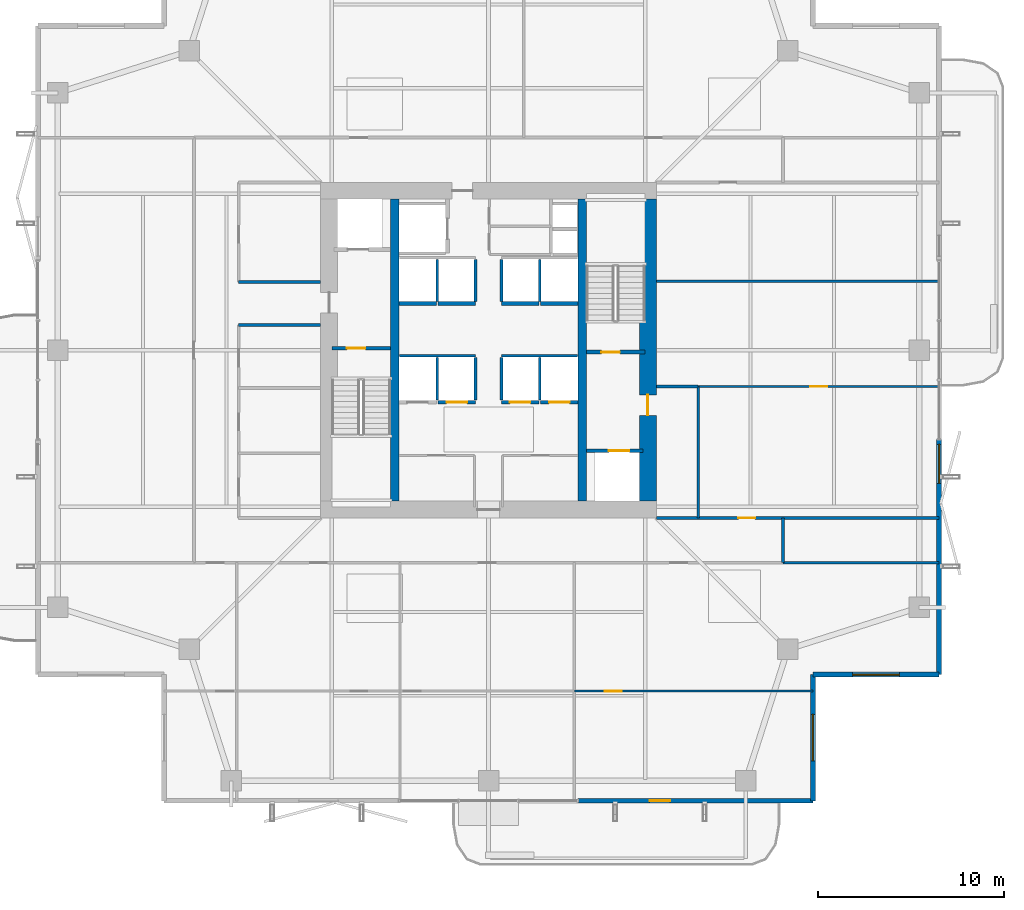
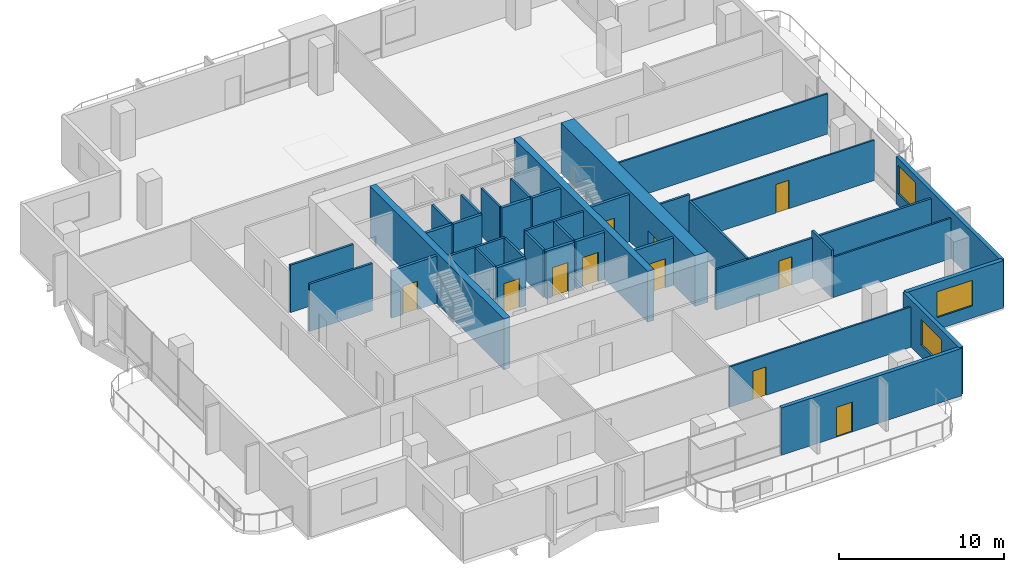
# One storey, part 19 of 25: 37 walls, 11 doors, 3 windows, 14 openings.
"""IFC4 building model written with IfcOpenShell, lengths in metres."""

from ifc_helpers import new_model, si_unit, direction, frame, frame_2d, origin, place, context, subcontext, project, spatial, rectangle, extrude, material, layer, layer_set, type_object, element, fill, save


model = new_model("IFC4")

# Units and contexts
model_context = context("Model", 3, precision=1e-05, world=origin(), true_north=direction((0.0, 1.0)))
body_context = subcontext(model_context, "Body", "Model", "MODEL_VIEW")
ifc_project = project(units=[si_unit("LENGTHUNIT", "METRE"), si_unit("AREAUNIT", "SQUARE_METRE"), si_unit("VOLUMEUNIT", "CUBIC_METRE"), si_unit("PLANEANGLEUNIT", "RADIAN"), si_unit("MASSUNIT", "GRAM", prefix="KILO")], contexts=[model_context])

# Site, building, storey
site_placement = place(None, origin())
site = spatial("IfcSite", under=ifc_project, at=site_placement, CompositionType="ELEMENT")
building_placement = place(site_placement, origin())
building = spatial("IfcBuilding", under=site, at=building_placement, Name="Belovzor Exchange Tower", CompositionType="ELEMENT")
storey_placement = place(building_placement, frame((0.0, 0.0, 187.050048828125)))
storey = spatial("IfcBuildingStorey", under=building, at=storey_placement, Name="L46", CompositionType="ELEMENT", Elevation=187.050048828125)

# Wall, opening, door
ifc_material_1 = material(Name="Acoustic Plasterboard on Galvanised Studs", Category="gypsum")
ifc_layer_1 = layer(ifc_material_1, 0.1201171875)
ifc_layer_set_1 = layer_set([ifc_layer_1], Name="Acoustic Plasterboard on Galvanised Studs")
wall_type_1 = type_object("IfcWallType", Name="Acoustic Double-Stud Partition Wall 120", PredefinedType="PARTITIONING", material=ifc_layer_set_1)
wall_1_placement = place(storey_placement, frame((33.404052734375, 10.51708984375, 0.0), z_axis=(0.0, 0.0, 1.0), x_axis=(1.0, 0.0, 0.0)))
wall_1 = element("IfcWall", 1, at=wall_1_placement, inside=storey, type_object=wall_type_1, Name="W-P120 Partition Wall W-L46-SHDIV-3", PredefinedType="PARTITIONING", context=body_context, shape_type="SweptSolid", body=[
    extrude(rectangle(XDim=12.7958984375, YDim=0.1201171875, at=frame_2d((6.39794921875, 0.0))), origin(), (0.0, 0.0, 1.0), 2.97998046875),
])
opening_1_placement = place(wall_1_placement, frame((1.636962890625, 0.0, 0.0)))
opening_1 = element("IfcOpeningElement", 2, at=opening_1_placement, cuts=wall_1, Name="Opening D-INT-090", PredefinedType="OPENING", context=body_context, shape_type="SweptSolid", body=[
    extrude(rectangle(XDim=0.89990234375, YDim=2.10009765625, at=frame_2d((0.449951171875, 1.050048828125))), frame((0.0, 0.070068359375, 0.0), z_axis=(0.0, -1.0, 0.0), x_axis=(1.0, 0.0, 0.0)), (0.0, 0.0, 1.0), 0.14013671875),
])
ifc_material_2 = material(Name="Veneered Hardwood Acoustic Leaf", Category="wood")
door_type_1 = type_object("IfcDoorType", Name="Trading Suite Acoustic Single Door 900x2100", OperationType="NOTDEFINED", PredefinedType="DOOR", material=ifc_material_2)
door_1_placement = place(opening_1_placement, origin())
door_1 = element("IfcDoor", 3, at=door_1_placement, inside=storey, type_object=door_type_1, Name="D-INT-090 Trading Suite Acoustic Single Door 900x2100", OperationType="SINGLE_SWING_LEFT", OverallHeight=2.10009765625, OverallWidth=0.89990234375, PredefinedType="DOOR", context=body_context, shape_type="SweptSolid", body=[
    extrude(rectangle(XDim=0.89990234375, YDim=2.10009765625, at=frame_2d((0.449951171875, 1.050048828125))), frame((0.0, 0.02490234375, 0.0), z_axis=(0.0, -1.0, 0.0), x_axis=(1.0, 0.0, 0.0)), (0.0, 0.0, 1.0), 0.050048828125),
])
fill(opening_1, door_1)

wall_2_placement = place(storey_placement, frame((40.050048828125, 26.85009765625, 0.0), z_axis=(0.0, 0.0, 1.0), x_axis=(1.0, 0.0, 0.0)))
wall_2 = element("IfcWall", 4, at=wall_2_placement, inside=storey, type_object=wall_type_1, Name="W-P120 Partition Wall W-L46-EDIV-1", PredefinedType="PARTITIONING", context=body_context, shape_type="SweptSolid", body=[
    extrude(rectangle(XDim=12.919921875, YDim=0.1201171875, at=frame_2d((6.4599609375, 0.0))), origin(), (0.0, 0.0, 1.0), 2.97998046875),
])
opening_2_placement = place(wall_2_placement, frame((6.010009765625, 0.0, 0.0)))
opening_2 = element("IfcOpeningElement", 5, at=opening_2_placement, cuts=wall_2, Name="Opening D-INT-090", PredefinedType="OPENING", context=body_context, shape_type="SweptSolid", body=[
    extrude(rectangle(XDim=0.89990234375, YDim=2.10009765625, at=frame_2d((0.449951171875, 1.050048828125))), frame((0.0, 0.070068359375, 0.0), z_axis=(0.0, -1.0, 0.0), x_axis=(1.0, 0.0, 0.0)), (0.0, 0.0, 1.0), 0.14013671875),
])
door_2_placement = place(opening_2_placement, origin())
door_2 = element("IfcDoor", 6, at=door_2_placement, inside=storey, type_object=door_type_1, Name="D-INT-090 Trading Suite Acoustic Single Door 900x2100", OperationType="SINGLE_SWING_LEFT", OverallHeight=2.10009765625, OverallWidth=0.89990234375, PredefinedType="DOOR", context=body_context, shape_type="SweptSolid", body=[
    extrude(rectangle(XDim=0.89990234375, YDim=2.10009765625, at=frame_2d((0.449951171875, 1.050048828125))), frame((0.0, 0.02490234375, 0.0), z_axis=(0.0, -1.0, 0.0), x_axis=(1.0, 0.0, 0.0)), (0.0, 0.0, 1.0), 0.050048828125),
])
fill(opening_2, door_2)

# Walls
wall_3_placement = place(storey_placement, frame((37.800048828125, 32.5, 0.0), z_axis=(0.0, 0.0, 1.0), x_axis=(1.0, 0.0, 0.0)))
element("IfcWall", 7, at=wall_3_placement, inside=storey, type_object=wall_type_1, Name="W-P120 Partition Wall W-L46-EDIV-2", PredefinedType="PARTITIONING", context=body_context, shape_type="SweptSolid", body=[
    extrude(rectangle(XDim=15.169921875, YDim=0.1201171875, at=frame_2d((7.5849609375, 0.0))), origin(), (0.0, 0.0, 1.0), 2.97998046875),
])
wall_4_placement = place(storey_placement, frame((44.60009765625, 17.39990234375, 0.0), z_axis=(0.0, 0.0, 1.0), x_axis=(1.0, 0.0, 0.0)))
element("IfcWall", 8, at=wall_4_placement, inside=storey, type_object=wall_type_1, Name="W-P120 Partition Wall W-L46-END-SE", PredefinedType="PARTITIONING", context=body_context, shape_type="SweptSolid", body=[
    extrude(rectangle(XDim=8.369873046875, YDim=0.1201171875, at=frame_2d((4.18505859375, 0.0))), origin(), (0.0, 0.0, 1.0), 2.97998046875),
])
ifc_material_3 = material(Name="Fire-Rated Gypsum Block and Mineral Wool", Category="gypsum")
ifc_layer_2 = layer(ifc_material_3, 0.14990234375)
ifc_layer_set_2 = layer_set([ifc_layer_2], Name="Fire-Rated Gypsum Block and Mineral Wool")
wall_type_2 = type_object("IfcWallType", Name="Fire-Rated Gypsum Block Corridor Wall 150", PredefinedType="PARTITIONING", material=ifc_layer_set_2)
for number, where, z_axis, x_axis, name in (
    (9, (15.39990234375, 30.14990234375, 0.0), (0.0, 0.0, 1.0), (1.0, 0.0, 0.0), "W-P150 Partition Wall W-L46-WIC-N"),
    (10, (15.39990234375, 32.449951171875, 0.0), (0.0, 0.0, 1.0), (1.0, 0.0, 0.0), "W-P150 Partition Wall W-L46-CFW-N"),
):
    element("IfcWall", number, at=place(storey_placement, frame(where, z_axis=z_axis, x_axis=x_axis)), inside=storey, type_object=wall_type_2, Name=name, PredefinedType="PARTITIONING", context=body_context, shape_type="SweptSolid", body=[
        extrude(rectangle(XDim=4.400146484375, YDim=0.14990234375, at=frame_2d((2.2001953125, 0.0))), origin(), (0.0, 0.0, 1.0), 3.494873046875),
    ])
wall_5_placement = place(storey_placement, frame((37.800048828125, 26.85009765625, 0.0), z_axis=(0.0, 0.0, 1.0), x_axis=(1.0, 0.0, 0.0)))
element("IfcWall", 11, at=wall_5_placement, inside=storey, type_object=wall_type_2, Name="W-P150 Partition Wall W-L46-CFE-N", PredefinedType="PARTITIONING", context=body_context, shape_type="SweptSolid", body=[
    extrude(rectangle(XDim=2.25, YDim=0.14990234375, at=frame_2d((1.125, 0.0))), origin(), (0.0, 0.0, 1.0), 3.494873046875),
])
wall_6_placement = place(storey_placement, frame((40.050048828125, 19.800048828125, 0.0), z_axis=(0.0, 0.0, 1.0), x_axis=(0.0, 1.0, 0.0)))
element("IfcWall", 12, at=wall_6_placement, inside=storey, type_object=wall_type_2, Name="W-P150 Partition Wall W-L46-CFE-E", PredefinedType="PARTITIONING", context=body_context, shape_type="SweptSolid", body=[
    extrude(rectangle(XDim=7.050048828125, YDim=0.14990234375, at=frame_2d((3.52490234375, 0.0))), origin(), (0.0, 0.0, 1.0), 3.030029296875),
])
wall_7_placement = place(storey_placement, frame((44.60009765625, 17.39990234375, 0.0), z_axis=(0.0, 0.0, 1.0), x_axis=(0.0, 1.0, 0.0)))
element("IfcWall", 13, at=wall_7_placement, inside=storey, type_object=wall_type_2, Name="W-P150 Partition Wall W-L46-END-ES", PredefinedType="PARTITIONING", context=body_context, shape_type="SweptSolid", body=[
    extrude(rectangle(XDim=2.400146484375, YDim=0.14990234375, at=frame_2d((1.2001953125, 0.0))), origin(), (0.0, 0.0, 1.0), 3.494873046875),
])

# Wall, opening, door
wall_8_placement = place(storey_placement, frame((37.800048828125, 19.800048828125, 0.0), z_axis=(0.0, 0.0, 1.0), x_axis=(1.0, 0.0, 0.0)))
wall_8 = element("IfcWall", 14, at=wall_8_placement, inside=storey, type_object=wall_type_2, Name="W-P150 Partition Wall W-L46-CS-IN", PredefinedType="PARTITIONING", context=body_context, shape_type="SweptSolid", body=[
    extrude(rectangle(XDim=15.169921875, YDim=0.14990234375, at=frame_2d((7.5849609375, 0.0))), origin(), (0.0, 0.0, 1.0), 2.97998046875),
])
opening_3_placement = place(wall_8_placement, frame((4.39990234375, 0.0, 0.0)))
opening_3 = element("IfcOpeningElement", 15, at=opening_3_placement, cuts=wall_8, Name="Opening D-INT-090", PredefinedType="OPENING", context=body_context, shape_type="SweptSolid", body=[
    extrude(rectangle(XDim=0.89990234375, YDim=2.10009765625, at=frame_2d((0.449951171875, 1.050048828125))), frame((0.0, 0.0849609375, 0.0), z_axis=(0.0, -1.0, 0.0), x_axis=(1.0, 0.0, 0.0)), (0.0, 0.0, 1.0), 0.169921875),
])
door_3_placement = place(opening_3_placement, origin())
door_3 = element("IfcDoor", 16, at=door_3_placement, inside=storey, type_object=door_type_1, Name="D-INT-090 Trading Suite Acoustic Single Door 900x2100", OperationType="SINGLE_SWING_LEFT", OverallHeight=2.10009765625, OverallWidth=0.89990234375, PredefinedType="DOOR", context=body_context, shape_type="SweptSolid", body=[
    extrude(rectangle(XDim=0.89990234375, YDim=2.10009765625, at=frame_2d((0.449951171875, 1.050048828125))), frame((0.0, 0.02490234375, 0.0), z_axis=(0.0, -1.0, 0.0), x_axis=(1.0, 0.0, 0.0)), (0.0, 0.0, 1.0), 0.050048828125),
])
fill(opening_3, door_3)

# Wall, opening, window
ifc_material_4 = material(Name="Precast concrete C40/50", Category="concrete")
ifc_layer_3 = layer(ifc_material_4, 0.280029296875)
ifc_layer_set_3 = layer_set([ifc_layer_3], Name="Precast concrete C40/50")
wall_type_3 = type_object("IfcWallType", Name="Precast Concrete Notched Corner Frame Wall 280", PredefinedType="SOLIDWALL", material=ifc_layer_set_3)
wall_9_placement = place(storey_placement, frame((52.969970703125, 11.39990234375, 0.0), z_axis=(0.0, 0.0, 1.0), x_axis=(-1.0, 0.0, 0.0)))
wall_9 = element("IfcWall", 17, at=wall_9_placement, inside=storey, type_object=wall_type_3, Name="W-CRN280 Precast Concrete Notched Corner Frame Wall 280 L46", PredefinedType="SOLIDWALL", context=body_context, shape_type="SweptSolid", body=[
    extrude(rectangle(XDim=6.77001953125, YDim=0.280029296875, at=frame_2d((3.385009765625, 0.0))), origin(), (0.0, 0.0, 1.0), 3.494873046875),
])
opening_4_placement = place(wall_9_placement, frame((2.135009765625, 0.0, 0.89990234375)))
opening_4 = element("IfcOpeningElement", 18, at=opening_4_placement, cuts=wall_9, Name="Opening WN-CRN250", PredefinedType="OPENING", context=body_context, shape_type="SweptSolid", body=[
    extrude(rectangle(XDim=2.5, YDim=1.89990234375, at=frame_2d((1.25, 0.949951171875))), frame((0.0, 0.14990234375, 0.0), z_axis=(0.0, -1.0, 0.0), x_axis=(1.0, 0.0, 0.0)), (0.0, 0.0, 1.0), 0.300048828125),
])
ifc_material_5 = material(Name="Thermally Broken Aluminium and Triple Glazing", Category="aluminium")
window_type_1 = type_object("IfcWindowType", Name="Streamline Moderne Corner Wrap Ribbon Window 2500x1900", PartitioningType="SINGLE_PANEL", PredefinedType="WINDOW", material=ifc_material_5)
window_1_placement = place(opening_4_placement, origin())
window_1 = element("IfcWindow", 19, at=window_1_placement, inside=storey, type_object=window_type_1, Name="WN-CRN250 Streamline Moderne Corner Wrap Ribbon Window 2500x1900", OverallHeight=1.89990234375, OverallWidth=2.5, PartitioningType="SINGLE_PANEL", PredefinedType="WINDOW", context=body_context, shape_type="SweptSolid", body=[
    extrude(rectangle(XDim=2.5, YDim=1.89990234375, at=frame_2d((1.25, 0.949951171875))), frame((0.0, 0.030029296875, 0.0), z_axis=(0.0, -1.0, 0.0), x_axis=(1.0, 0.0, 0.0)), (0.0, 0.0, 1.0), 0.06005859375),
])
fill(opening_4, window_1)

wall_10_placement = place(storey_placement, frame((46.199951171875, 11.39990234375, 0.0), z_axis=(0.0, 0.0, 1.0), x_axis=(0.0, -1.0, 0.0)))
wall_10 = element("IfcWall", 20, at=wall_10_placement, inside=storey, type_object=wall_type_3, Name="W-CRN280 Precast Concrete Notched Corner Frame Wall 280 L46", PredefinedType="SOLIDWALL", context=body_context, shape_type="SweptSolid", body=[
    extrude(rectangle(XDim=6.77001953125, YDim=0.280029296875, at=frame_2d((3.385009765625, 0.0))), origin(), (0.0, 0.0, 1.0), 3.494873046875),
])
opening_5_placement = place(wall_10_placement, frame((2.135009765625, 0.0, 0.89990234375)))
opening_5 = element("IfcOpeningElement", 21, at=opening_5_placement, cuts=wall_10, Name="Opening WN-CRN250", PredefinedType="OPENING", context=body_context, shape_type="SweptSolid", body=[
    extrude(rectangle(XDim=2.5, YDim=1.89990234375, at=frame_2d((1.25, 0.949951171875))), frame((0.0, 0.14990234375, 0.0), z_axis=(0.0, -1.0, 0.0), x_axis=(1.0, 0.0, 0.0)), (0.0, 0.0, 1.0), 0.300048828125),
])
window_2_placement = place(opening_5_placement, origin())
window_2 = element("IfcWindow", 22, at=window_2_placement, inside=storey, type_object=window_type_1, Name="WN-CRN250 Streamline Moderne Corner Wrap Ribbon Window 2500x1900", OverallHeight=1.89990234375, OverallWidth=2.5, PartitioningType="SINGLE_PANEL", PredefinedType="WINDOW", context=body_context, shape_type="SweptSolid", body=[
    extrude(rectangle(XDim=2.5, YDim=1.89990234375, at=frame_2d((1.25, 0.949951171875))), frame((0.0, 0.030029296875, 0.0), z_axis=(0.0, -1.0, 0.0), x_axis=(1.0, 0.0, 0.0)), (0.0, 0.0, 1.0), 0.06005859375),
])
fill(opening_5, window_2)

# Wall, opening, door
ifc_material_6 = material(Name="Precast concrete C40/50", Category="concrete")
ifc_layer_4 = layer(ifc_material_6, 0.260009765625)
ifc_layer_set_4 = layer_set([ifc_layer_4], Name="Precast concrete C40/50")
wall_type_4 = type_object("IfcWallType", Name="Precast Concrete Perimeter Loggia Frame Wall 260", PredefinedType="SOLIDWALL", material=ifc_layer_set_4)
wall_11_placement = place(storey_placement, frame((46.199951171875, 4.6298828125, 0.0), z_axis=(0.0, 0.0, 1.0), x_axis=(-1.0, 0.0, 0.0)))
wall_11 = element("IfcWall", 23, at=wall_11_placement, inside=storey, type_object=wall_type_4, Name="W-EXT260 Precast Concrete Perimeter Loggia Frame Wall 260 L46", PredefinedType="SOLIDWALL", context=body_context, shape_type="SweptSolid", body=[
    extrude(rectangle(XDim=12.599853515625, YDim=0.260009765625, at=frame_2d((6.2998046875, 0.0))), origin(), (0.0, 0.0, 1.0), 3.494873046875),
])
opening_6_placement = place(wall_11_placement, frame((7.662109375, 0.0, 0.0)))
opening_6 = element("IfcOpeningElement", 24, at=opening_6_placement, cuts=wall_11, Name="Opening D-BAL110", PredefinedType="OPENING", context=body_context, shape_type="SweptSolid", body=[
    extrude(rectangle(XDim=1.10009765625, YDim=2.199951171875, at=frame_2d((0.550048828125, 1.10009765625))), frame((0.0, 0.139892578125, 0.0), z_axis=(0.0, -1.0, 0.0), x_axis=(1.0, 0.0, 0.0)), (0.0, 0.0, 1.0), 0.280029296875),
])
ifc_material_7 = material(Name="Thermally Broken Anodised Aluminium and Laminated Glass", Category="aluminium")
door_type_2 = type_object("IfcDoorType", Name="Planted Loggia Terrace Glazed Door 1100x2200", OperationType="SINGLE_SWING_LEFT", PredefinedType="DOOR", material=ifc_material_7)
door_4_placement = place(opening_6_placement, origin())
door_4 = element("IfcDoor", 25, at=door_4_placement, inside=storey, type_object=door_type_2, Name="D-BAL110 Balcony Terrace Door L46 S", OperationType="SINGLE_SWING_LEFT", OverallHeight=2.199951171875, OverallWidth=1.10009765625, PredefinedType="DOOR", context=body_context, shape_type="SweptSolid", body=[
    extrude(rectangle(XDim=1.10009765625, YDim=2.199951171875, at=frame_2d((0.550048828125, 1.10009765625))), frame((0.0, 0.02490234375, 0.0), z_axis=(0.0, -1.0, 0.0), x_axis=(1.0, 0.0, 0.0)), (0.0, 0.0, 1.0), 0.050048828125),
])
fill(opening_6, door_4)

# Wall, opening, window
wall_12_placement = place(storey_placement, frame((52.969970703125, 24.0, 0.0), z_axis=(0.0, 0.0, 1.0), x_axis=(0.0, -1.0, 0.0)))
wall_12 = element("IfcWall", 26, at=wall_12_placement, inside=storey, type_object=wall_type_4, Name="W-EXT260 Precast Concrete Perimeter Loggia Frame Wall 260 L46", PredefinedType="SOLIDWALL", context=body_context, shape_type="SweptSolid", body=[
    extrude(rectangle(XDim=12.60009765625, YDim=0.260009765625, at=frame_2d((6.300048828125, 0.0))), origin(), (0.0, 0.0, 1.0), 3.494873046875),
])
opening_7_placement = place(wall_12_placement, frame((0.25, 0.0, 0.89990234375)))
opening_7 = element("IfcOpeningElement", 27, at=opening_7_placement, cuts=wall_12, Name="Opening WN-LOG210", PredefinedType="OPENING", context=body_context, shape_type="SweptSolid", body=[
    extrude(rectangle(XDim=2.10009765625, YDim=2.10009765625, at=frame_2d((1.050048828125, 1.050048828125))), frame((0.0, 0.139892578125, 0.0), z_axis=(0.0, -1.0, 0.0), x_axis=(1.0, 0.0, 0.0)), (0.0, 0.0, 1.0), 0.280029296875),
])
ifc_material_8 = material(Name="Thermally Broken Aluminium and Triple Glazing", Category="aluminium")
window_type_2 = type_object("IfcWindowType", Name="Triple-Glazed Loggia Ribbon Window 2100x2100", PartitioningType="SINGLE_PANEL", PredefinedType="WINDOW", material=ifc_material_8)
window_3_placement = place(opening_7_placement, origin())
window_3 = element("IfcWindow", 28, at=window_3_placement, inside=storey, type_object=window_type_2, Name="WN-LOG210 Triple-Glazed Loggia Ribbon Window 2100x2100", OverallHeight=2.10009765625, OverallWidth=2.10009765625, PartitioningType="SINGLE_PANEL", PredefinedType="WINDOW", context=body_context, shape_type="SweptSolid", body=[
    extrude(rectangle(XDim=2.10009765625, YDim=2.10009765625, at=frame_2d((1.050048828125, 1.050048828125))), frame((0.0, 0.030029296875, 0.0), z_axis=(0.0, -1.0, 0.0), x_axis=(1.0, 0.0, 0.0)), (0.0, 0.0, 1.0), 0.06005859375),
])
fill(opening_7, window_3)

# Walls
ifc_material_9 = material(Name="Concrete C50/60", Category="concrete")
ifc_layer_5 = layer(ifc_material_9, 0.449951171875)
ifc_layer_set_5 = layer_set([ifc_layer_5], Name="Concrete C50/60")
wall_type_5 = type_object("IfcWallType", Name="Reinforced Concrete Core Internal Web Wall 450", PredefinedType="SHEAR", material=ifc_layer_set_5)
for number, where, z_axis, x_axis, name in (
    (29, (23.77490234375, 20.699951171875, 0.0), (0.0, 0.0, 1.0), (0.0, 1.0, 0.0), "CW-W045 Core Internal Web Wall L46 WL"),
    (30, (33.824951171875, 20.699951171875, 0.0), (0.0, 0.0, 1.0), (0.0, 1.0, 0.0), "CW-W045 Core Internal Web Wall L46 ER"),
):
    element("IfcWall", number, at=place(storey_placement, frame(where, z_axis=z_axis, x_axis=x_axis)), inside=storey, type_object=wall_type_5, Name=name, PredefinedType="SHEAR", context=body_context, shape_type="SweptSolid", body=[
        extrude(rectangle(XDim=16.199951171875, YDim=0.449951171875, at=frame_2d((8.10009765625, 0.0))), origin(), (0.0, 0.0, 1.0), 3.75),
    ])
ifc_material_10 = material(Name="Concrete C50/60", Category="concrete")
ifc_layer_6 = layer(ifc_material_10, 0.14990234375)
ifc_layer_set_6 = layer_set([ifc_layer_6], Name="Concrete C50/60")
wall_type_6 = type_object("IfcWallType", Name="Reinforced Concrete Core Riser Shear Wall 150", PredefinedType="SHEAR", material=ifc_layer_set_6)
for number, where, z_axis, x_axis, name in (
    (31, (24.02001953125, 28.5, 0.0), (0.0, 0.0, 1.0), (1.0, 0.0, 0.0), "W-C150S Core Shaft Wall W-SHB-L46-PLM-NW"),
    (32, (29.5, 28.5, 0.0), (0.0, 0.0, 1.0), (1.0, 0.0, 0.0), "W-C150S Core Shaft Wall W-SHB-L46-PLM-NE"),
):
    element("IfcWall", number, at=place(storey_placement, frame(where, z_axis=z_axis, x_axis=x_axis)), inside=storey, type_object=wall_type_6, Name=name, PredefinedType="SHEAR", context=body_context, shape_type="SweptSolid", body=[
        extrude(rectangle(XDim=4.080078125, YDim=0.14990234375, at=frame_2d((2.0400390625, 0.0))), origin(), (0.0, 0.0, 1.0), 3.494873046875),
    ])
for number, where, z_axis, x_axis, name in (
    (33, (26.050048828125, 26.1201171875, 0.0), (0.0, 0.0, 1.0), (0.0, 1.0, 0.0), "W-C150S Core Shaft Wall W-SHD-L46-PLM-1"),
    (34, (28.10009765625, 26.1201171875, 0.0), (0.0, 0.0, 1.0), (0.0, 1.0, 0.0), "W-C150S Core Shaft Wall W-SHD-L46-PLM-2"),
    (35, (29.5, 26.1201171875, 0.0), (0.0, 0.0, 1.0), (0.0, 1.0, 0.0), "W-C150S Core Shaft Wall W-SHD-L46-PLM-3"),
    (36, (31.550048828125, 26.1201171875, 0.0), (0.0, 0.0, 1.0), (0.0, 1.0, 0.0), "W-C150S Core Shaft Wall W-SHD-L46-PLM-4"),
):
    element("IfcWall", number, at=place(storey_placement, frame(where, z_axis=z_axis, x_axis=x_axis)), inside=storey, type_object=wall_type_6, Name=name, PredefinedType="SHEAR", context=body_context, shape_type="SweptSolid", body=[
        extrude(rectangle(XDim=2.27978515625, YDim=0.14990234375, at=frame_2d((1.139892578125, 0.0))), origin(), (0.0, 0.0, 1.0), 3.494873046875),
    ])
for number, where, z_axis, x_axis, name in (
    (37, (26.050048828125, 31.419921875, 0.0), (0.0, 0.0, 1.0), (0.0, 1.0, 0.0), "W-C150S Core Shaft Wall W-SHD-L46-PLH-1"),
    (38, (28.10009765625, 31.419921875, 0.0), (0.0, 0.0, 1.0), (0.0, 1.0, 0.0), "W-C150S Core Shaft Wall W-SHD-L46-PLH-2"),
    (39, (29.5, 31.419921875, 0.0), (0.0, 0.0, 1.0), (0.0, 1.0, 0.0), "W-C150S Core Shaft Wall W-SHD-L46-PLH-3"),
    (40, (31.550048828125, 31.419921875, 0.0), (0.0, 0.0, 1.0), (0.0, 1.0, 0.0), "W-C150S Core Shaft Wall W-SHD-L46-PLH-4"),
):
    element("IfcWall", number, at=place(storey_placement, frame(where, z_axis=z_axis, x_axis=x_axis)), inside=storey, type_object=wall_type_6, Name=name, PredefinedType="SHEAR", context=body_context, shape_type="SweptSolid", body=[
        extrude(rectangle(XDim=2.239990234375, YDim=0.14990234375, at=frame_2d((1.1201171875, 0.0))), origin(), (0.0, 0.0, 1.0), 3.494873046875),
    ])

# Wall, opening, door
ifc_material_11 = material(Name="Concrete C50/60", Category="concrete")
ifc_layer_7 = layer(ifc_material_11, 0.199951171875)
ifc_layer_set_7 = layer_set([ifc_layer_7], Name="Concrete C50/60")
wall_type_7 = type_object("IfcWallType", Name="Reinforced Concrete Core Shaft Shear Wall 200", PredefinedType="SHEAR", material=ifc_layer_set_7)
wall_13_placement = place(storey_placement, frame((20.39990234375, 28.89990234375, 0.0), z_axis=(0.0, 0.0, 1.0), x_axis=(1.0, 0.0, 0.0)))
wall_13 = element("IfcWall", 41, at=wall_13_placement, inside=storey, type_object=wall_type_7, Name="W-C200S Core Shaft Wall W-CORE-L46-FFLW1", PredefinedType="SHEAR", context=body_context, shape_type="SweptSolid", body=[
    extrude(rectangle(XDim=3.150146484375, YDim=0.199951171875, at=frame_2d((1.5751953125, 0.0))), origin(), (0.0, 0.0, 1.0), 3.494873046875),
])
opening_8_placement = place(wall_13_placement, frame((0.800048828125, 0.0, 0.0)))
opening_8 = element("IfcOpeningElement", 42, at=opening_8_placement, cuts=wall_13, Name="Opening D-FD90-100", PredefinedType="OPENING", context=body_context, shape_type="SweptSolid", body=[
    extrude(rectangle(XDim=1.0, YDim=2.10009765625, at=frame_2d((0.5, 1.050048828125))), frame((0.0, 0.10986328125, 0.0), z_axis=(0.0, -1.0, 0.0), x_axis=(1.0, 0.0, 0.0)), (0.0, 0.0, 1.0), 0.219970703125),
])
ifc_material_12 = material(Name="Fire-Rated Galvanised Steel Leaf", Category="steel")
door_type_3 = type_object("IfcDoorType", Name="Protected Stairwell Single Fire Door 1000x2100", OperationType="NOTDEFINED", PredefinedType="DOOR", material=ifc_material_12)
door_5_placement = place(opening_8_placement, origin())
door_5 = element("IfcDoor", 43, at=door_5_placement, inside=storey, type_object=door_type_3, Name="D-FD90-100 Protected Stairwell Single Fire Door 1000x2100", OperationType="SINGLE_SWING_RIGHT", OverallHeight=2.10009765625, OverallWidth=1.0, PredefinedType="DOOR", context=body_context, shape_type="SweptSolid", body=[
    extrude(rectangle(XDim=1.0, YDim=2.10009765625, at=frame_2d((0.5, 1.050048828125))), frame((0.0, 0.02490234375, 0.0), z_axis=(0.0, -1.0, 0.0), x_axis=(1.0, 0.0, 0.0)), (0.0, 0.0, 1.0), 0.050048828125),
])
fill(opening_8, door_5)

wall_14_placement = place(storey_placement, frame((34.050048828125, 28.699951171875, 0.0), z_axis=(0.0, 0.0, 1.0), x_axis=(1.0, 0.0, 0.0)))
wall_14 = element("IfcWall", 44, at=wall_14_placement, inside=storey, type_object=wall_type_7, Name="W-C200S Core Shaft Wall W-CORE-L46-FFLE2", PredefinedType="SHEAR", context=body_context, shape_type="SweptSolid", body=[
    extrude(rectangle(XDim=3.14990234375, YDim=0.199951171875, at=frame_2d((1.574951171875, 0.0))), origin(), (0.0, 0.0, 1.0), 3.494873046875),
])
opening_9_placement = place(wall_14_placement, frame((0.800048828125, 0.0, 0.0)))
opening_9 = element("IfcOpeningElement", 45, at=opening_9_placement, cuts=wall_14, Name="Opening D-FD90-100", PredefinedType="OPENING", context=body_context, shape_type="SweptSolid", body=[
    extrude(rectangle(XDim=1.0, YDim=2.10009765625, at=frame_2d((0.5, 1.050048828125))), frame((0.0, 0.10986328125, 0.0), z_axis=(0.0, -1.0, 0.0), x_axis=(1.0, 0.0, 0.0)), (0.0, 0.0, 1.0), 0.219970703125),
])
door_6_placement = place(opening_9_placement, origin())
door_6 = element("IfcDoor", 46, at=door_6_placement, inside=storey, type_object=door_type_3, Name="D-FD90-100 Protected Stairwell Single Fire Door 1000x2100", OperationType="SINGLE_SWING_LEFT", OverallHeight=2.10009765625, OverallWidth=1.0, PredefinedType="DOOR", context=body_context, shape_type="SweptSolid", body=[
    extrude(rectangle(XDim=1.0, YDim=2.10009765625, at=frame_2d((0.5, 1.050048828125))), frame((0.0, 0.02490234375, 0.0), z_axis=(0.0, -1.0, 0.0), x_axis=(1.0, 0.0, 0.0)), (0.0, 0.0, 1.0), 0.050048828125),
])
fill(opening_9, door_6)

wall_15_placement = place(storey_placement, frame((34.050048828125, 23.39990234375, 0.0), z_axis=(0.0, 0.0, 1.0), x_axis=(1.0, 0.0, 0.0)))
wall_15 = element("IfcWall", 47, at=wall_15_placement, inside=storey, type_object=wall_type_7, Name="W-C200S Core Shaft Wall W-SH-L46-FFL-02", PredefinedType="SHEAR", context=body_context, shape_type="SweptSolid", body=[
    extrude(rectangle(XDim=3.050048828125, YDim=0.199951171875, at=frame_2d((1.52490234375, 0.0))), origin(), (0.0, 0.0, 1.0), 3.494873046875),
])
opening_10_placement = place(wall_15_placement, frame((1.199951171875, 0.0, 0.0)))
opening_10 = element("IfcOpeningElement", 48, at=opening_10_placement, cuts=wall_15, Name="Opening LD-110", PredefinedType="OPENING", context=body_context, shape_type="SweptSolid", body=[
    extrude(rectangle(XDim=1.10009765625, YDim=2.14990234375, at=frame_2d((0.550048828125, 1.074951171875))), frame((0.0, 0.10986328125, 0.0), z_axis=(0.0, -1.0, 0.0), x_axis=(1.0, 0.0, 0.0)), (0.0, 0.0, 1.0), 0.219970703125),
])
ifc_material_13 = material(Name="Stainless Steel Grade 304", Category="steel")
door_type_4 = type_object("IfcDoorType", Name="Automated Stainless Steel Lift Landing Door 1100x2150", OperationType="SLIDING_TO_RIGHT", PredefinedType="DOOR", material=ifc_material_13)
door_7_placement = place(opening_10_placement, origin())
door_7 = element("IfcDoor", 49, at=door_7_placement, inside=storey, type_object=door_type_4, Name="LD-110 Automated Stainless Steel Lift Landing Door 1100x2150", OperationType="SLIDING_TO_RIGHT", OverallHeight=2.14990234375, OverallWidth=1.10009765625, PredefinedType="DOOR", context=body_context, shape_type="SweptSolid", body=[
    extrude(rectangle(XDim=1.10009765625, YDim=2.14990234375, at=frame_2d((0.550048828125, 1.074951171875))), frame((0.0, 0.02490234375, 0.0), z_axis=(0.0, -1.0, 0.0), x_axis=(1.0, 0.0, 0.0)), (0.0, 0.0, 1.0), 0.050048828125),
])
fill(opening_10, door_7)

wall_16_placement = place(storey_placement, frame((26.10009765625, 26.0, 0.0), z_axis=(0.0, 0.0, 1.0), x_axis=(1.0, 0.0, 0.0)))
wall_16 = element("IfcWall", 50, at=wall_16_placement, inside=storey, type_object=wall_type_7, Name="W-C200S Core Shaft Wall W-SH-L46-PL-M2", PredefinedType="SHEAR", context=body_context, shape_type="SweptSolid", body=[
    extrude(rectangle(XDim=2.0, YDim=0.199951171875, at=frame_2d((1.0, 0.0))), origin(), (0.0, 0.0, 1.0), 3.494873046875),
])
opening_11_placement = place(wall_16_placement, frame((0.449951171875, 0.0, 0.0)))
opening_11 = element("IfcOpeningElement", 51, at=opening_11_placement, cuts=wall_16, Name="Opening LD-110", PredefinedType="OPENING", context=body_context, shape_type="SweptSolid", body=[
    extrude(rectangle(XDim=1.10009765625, YDim=2.14990234375, at=frame_2d((0.550048828125, 1.074951171875))), frame((0.0, 0.10986328125, 0.0), z_axis=(0.0, -1.0, 0.0), x_axis=(1.0, 0.0, 0.0)), (0.0, 0.0, 1.0), 0.219970703125),
])
door_8_placement = place(opening_11_placement, origin())
door_8 = element("IfcDoor", 52, at=door_8_placement, inside=storey, type_object=door_type_4, Name="LD-110 Automated Stainless Steel Lift Landing Door 1100x2150", OperationType="SLIDING_TO_RIGHT", OverallHeight=2.14990234375, OverallWidth=1.10009765625, PredefinedType="DOOR", context=body_context, shape_type="SweptSolid", body=[
    extrude(rectangle(XDim=1.10009765625, YDim=2.14990234375, at=frame_2d((0.550048828125, 1.074951171875))), frame((0.0, 0.02490234375, 0.0), z_axis=(0.0, -1.0, 0.0), x_axis=(1.0, 0.0, 0.0)), (0.0, 0.0, 1.0), 0.050048828125),
])
fill(opening_11, door_8)

wall_17_placement = place(storey_placement, frame((29.5, 26.0, 0.0), z_axis=(0.0, 0.0, 1.0), x_axis=(1.0, 0.0, 0.0)))
wall_17 = element("IfcWall", 53, at=wall_17_placement, inside=storey, type_object=wall_type_7, Name="W-C200S Core Shaft Wall W-SH-L46-PL-M3", PredefinedType="SHEAR", context=body_context, shape_type="SweptSolid", body=[
    extrude(rectangle(XDim=2.0, YDim=0.199951171875, at=frame_2d((1.0, 0.0))), origin(), (0.0, 0.0, 1.0), 3.494873046875),
])
opening_12_placement = place(wall_17_placement, frame((0.449951171875, 0.0, 0.0)))
opening_12 = element("IfcOpeningElement", 54, at=opening_12_placement, cuts=wall_17, Name="Opening LD-110", PredefinedType="OPENING", context=body_context, shape_type="SweptSolid", body=[
    extrude(rectangle(XDim=1.10009765625, YDim=2.14990234375, at=frame_2d((0.550048828125, 1.074951171875))), frame((0.0, 0.10986328125, 0.0), z_axis=(0.0, -1.0, 0.0), x_axis=(1.0, 0.0, 0.0)), (0.0, 0.0, 1.0), 0.219970703125),
])
door_9_placement = place(opening_12_placement, origin())
door_9 = element("IfcDoor", 55, at=door_9_placement, inside=storey, type_object=door_type_4, Name="LD-110 Automated Stainless Steel Lift Landing Door 1100x2150", OperationType="SLIDING_TO_RIGHT", OverallHeight=2.14990234375, OverallWidth=1.10009765625, PredefinedType="DOOR", context=body_context, shape_type="SweptSolid", body=[
    extrude(rectangle(XDim=1.10009765625, YDim=2.14990234375, at=frame_2d((0.550048828125, 1.074951171875))), frame((0.0, 0.02490234375, 0.0), z_axis=(0.0, -1.0, 0.0), x_axis=(1.0, 0.0, 0.0)), (0.0, 0.0, 1.0), 0.050048828125),
])
fill(opening_12, door_9)

wall_18_placement = place(storey_placement, frame((31.60009765625, 26.0, 0.0), z_axis=(0.0, 0.0, 1.0), x_axis=(1.0, 0.0, 0.0)))
wall_18 = element("IfcWall", 56, at=wall_18_placement, inside=storey, type_object=wall_type_7, Name="W-C200S Core Shaft Wall W-SH-L46-PL-M4", PredefinedType="SHEAR", context=body_context, shape_type="SweptSolid", body=[
    extrude(rectangle(XDim=2.0, YDim=0.199951171875, at=frame_2d((1.0, 0.0))), origin(), (0.0, 0.0, 1.0), 3.494873046875),
])
opening_13_placement = place(wall_18_placement, frame((0.449951171875, 0.0, 0.0)))
opening_13 = element("IfcOpeningElement", 57, at=opening_13_placement, cuts=wall_18, Name="Opening LD-110", PredefinedType="OPENING", context=body_context, shape_type="SweptSolid", body=[
    extrude(rectangle(XDim=1.10009765625, YDim=2.14990234375, at=frame_2d((0.550048828125, 1.074951171875))), frame((0.0, 0.10986328125, 0.0), z_axis=(0.0, -1.0, 0.0), x_axis=(1.0, 0.0, 0.0)), (0.0, 0.0, 1.0), 0.219970703125),
])
door_10_placement = place(opening_13_placement, origin())
door_10 = element("IfcDoor", 58, at=door_10_placement, inside=storey, type_object=door_type_4, Name="LD-110 Automated Stainless Steel Lift Landing Door 1100x2150", OperationType="SLIDING_TO_RIGHT", OverallHeight=2.14990234375, OverallWidth=1.10009765625, PredefinedType="DOOR", context=body_context, shape_type="SweptSolid", body=[
    extrude(rectangle(XDim=1.10009765625, YDim=2.14990234375, at=frame_2d((0.550048828125, 1.074951171875))), frame((0.0, 0.02490234375, 0.0), z_axis=(0.0, -1.0, 0.0), x_axis=(1.0, 0.0, 0.0)), (0.0, 0.0, 1.0), 0.050048828125),
])
fill(opening_13, door_10)

# Walls
for number, where, z_axis, x_axis, name in (
    (59, (24.0, 31.300048828125, 0.0), (0.0, 0.0, 1.0), (1.0, 0.0, 0.0), "W-C200S Core Shaft Wall W-SH-L46-PL-H1"),
    (60, (26.10009765625, 31.300048828125, 0.0), (0.0, 0.0, 1.0), (1.0, 0.0, 0.0), "W-C200S Core Shaft Wall W-SH-L46-PL-H2"),
    (61, (29.5, 31.300048828125, 0.0), (0.0, 0.0, 1.0), (1.0, 0.0, 0.0), "W-C200S Core Shaft Wall W-SH-L46-PL-H3"),
    (62, (31.60009765625, 31.300048828125, 0.0), (0.0, 0.0, 1.0), (1.0, 0.0, 0.0), "W-C200S Core Shaft Wall W-SH-L46-PL-H4"),
):
    element("IfcWall", number, at=place(storey_placement, frame(where, z_axis=z_axis, x_axis=x_axis)), inside=storey, type_object=wall_type_7, Name=name, PredefinedType="SHEAR", context=body_context, shape_type="SweptSolid", body=[
        extrude(rectangle(XDim=2.0, YDim=0.199951171875, at=frame_2d((1.0, 0.0))), origin(), (0.0, 0.0, 1.0), 3.494873046875),
    ])

# Wall, opening, door
ifc_material_14 = material(Name="Concrete C60/75", Category="concrete")
ifc_layer_8 = layer(ifc_material_14, 0.89990234375)
ifc_layer_set_8 = layer_set([ifc_layer_8], Name="Concrete C60/75")
wall_type_8 = type_object("IfcWallType", Name="Reinforced Concrete Core Shear Wall 900", PredefinedType="SHEAR", material=ifc_layer_set_8)
wall_19_placement = place(storey_placement, frame((37.35009765625, 20.699951171875, 0.0), z_axis=(0.0, 0.0, 1.0), x_axis=(0.0, 1.0, 0.0)))
wall_19 = element("IfcWall", 63, at=wall_19_placement, inside=storey, type_object=wall_type_8, Name="CW-S090 Core Shear Wall L46 E", PredefinedType="SHEAR", context=body_context, shape_type="SweptSolid", body=[
    extrude(rectangle(XDim=16.199951171875, YDim=0.89990234375, at=frame_2d((8.10009765625, 0.0))), origin(), (0.0, 0.0, 1.0), 3.75),
])
opening_14_placement = place(wall_19_placement, frame((4.60009765625, 0.0, 0.0)))
opening_14 = element("IfcOpeningElement", 64, at=opening_14_placement, cuts=wall_19, Name="Opening D-FD90-110", PredefinedType="OPENING", context=body_context, shape_type="SweptSolid", body=[
    extrude(rectangle(XDim=1.10009765625, YDim=2.14990234375, at=frame_2d((0.550048828125, 1.074951171875))), frame((0.0, 0.4599609375, 0.0), z_axis=(0.0, -1.0, 0.0), x_axis=(1.0, 0.0, 0.0)), (0.0, 0.0, 1.0), 0.919921875),
])
ifc_material_15 = material(Name="Fire-Rated Galvanised Steel Leaf", Category="steel")
door_type_5 = type_object("IfcDoorType", Name="Protected Escape Vestibule Fire Door 1100x2150", OperationType="NOTDEFINED", PredefinedType="DOOR", material=ifc_material_15)
door_11_placement = place(opening_14_placement, origin())
door_11 = element("IfcDoor", 65, at=door_11_placement, inside=storey, type_object=door_type_5, Name="D-FD90-110 Protected Escape Vestibule Fire Door 1100x2150", OperationType="SINGLE_SWING_RIGHT", OverallHeight=2.14990234375, OverallWidth=1.10009765625, PredefinedType="DOOR", context=body_context, shape_type="SweptSolid", body=[
    extrude(rectangle(XDim=1.10009765625, YDim=2.14990234375, at=frame_2d((0.550048828125, 1.074951171875))), frame((0.0, 0.02490234375, 0.0), z_axis=(0.0, -1.0, 0.0), x_axis=(1.0, 0.0, 0.0)), (0.0, 0.0, 1.0), 0.050048828125),
])
fill(opening_14, door_11)

save(model, "model.ifc")
